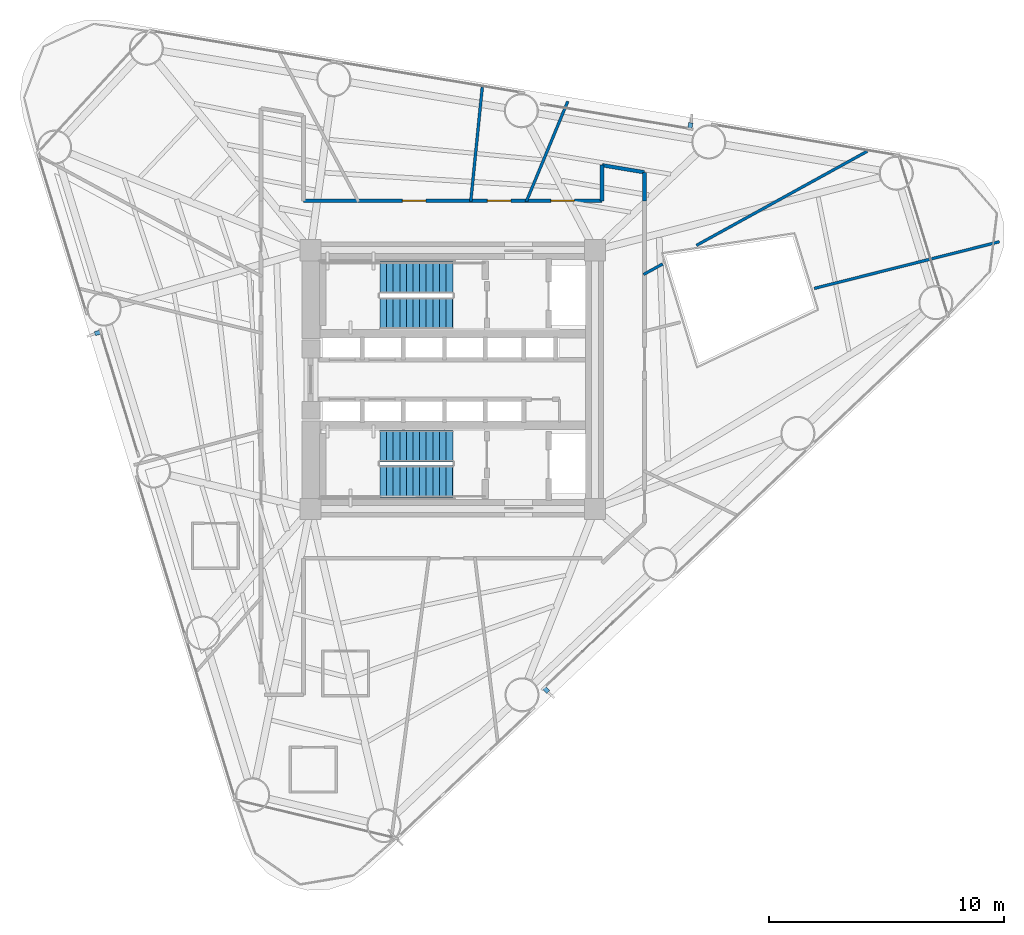
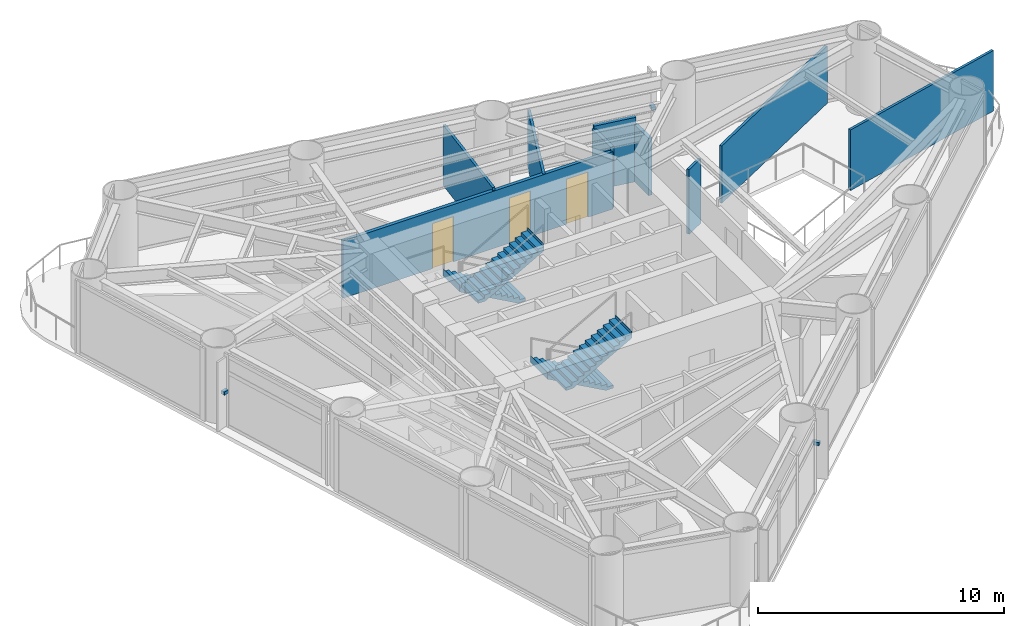
# One storey, part 7 of 10: 9 walls, 4 stair flights, 3 discrete accessories, 3 doors, 3 openings, 2 elements without a shape of their own.
"""IFC4 building model written with IfcOpenShell, lengths in metres."""

from ifc_helpers import new_model, si_unit, direction, frame, frame_2d, origin, origin_2d, place, context, subcontext, project, spatial, polyline, rectangle, outline, extrude, source, transform, mapped, material, layer, layer_set, type_object, element, fill, aggregate, save


model = new_model("IFC4")

# Units and contexts
model_context = context("Model", 3, precision=1e-05, world=origin(), true_north=direction((0.0, 1.0)))
body_context = subcontext(model_context, "Body", "Model", "MODEL_VIEW")
ifc_project = project(units=[si_unit("LENGTHUNIT", "METRE"), si_unit("AREAUNIT", "SQUARE_METRE"), si_unit("VOLUMEUNIT", "CUBIC_METRE"), si_unit("PLANEANGLEUNIT", "RADIAN"), si_unit("MASSUNIT", "GRAM", prefix="KILO")], contexts=[model_context])

# Site, building, storey
site_placement = place(None, origin())
site = spatial("IfcSite", under=ifc_project, at=site_placement, CompositionType="ELEMENT")
building_placement = place(site_placement, origin())
building = spatial("IfcBuilding", under=site, at=building_placement, Name="Yunling Apex Tower", CompositionType="ELEMENT")
storey_placement = place(building_placement, frame((0.0, 0.0, 112.39990234375)))
storey = spatial("IfcBuildingStorey", under=building, at=storey_placement, Name="L28", CompositionType="ELEMENT", Elevation=112.39990234375)

# Wall, openings, doors
ifc_material_1 = material(Name="Gypsum board acoustic partition")
ifc_layer_1 = layer(ifc_material_1, 0.159912109375)
ifc_layer_set_1 = layer_set([ifc_layer_1], Name="Gypsum board acoustic partition")
wall_type_1 = type_object("IfcWallType", Name="WL-PRT-1", PredefinedType="PARTITIONING", material=ifc_layer_set_1)
wall_1_placement = place(storey_placement, frame((-6.35009765625, 7.60009765625, 0.0), z_axis=(0.0, 0.0, 1.0), x_axis=(1.0, 0.0, 0.0)))
wall_1 = element("IfcWall", 1, at=wall_1_placement, inside=storey, type_object=wall_type_1, Name="WL-CORR-L28-07", PredefinedType="PARTITIONING", context=body_context, shape_type="SweptSolid", body=[
    extrude(rectangle(XDim=12.7001953125, YDim=0.159912109375, at=frame_2d((6.35009765625, 0.0))), origin(), (0.0, 0.0, 1.0), 2.85009765625),
])
opening_1_placement = place(wall_1_placement, frame((4.204833984375, 0.0, 0.0)))
opening_1 = element("IfcOpeningElement", 2, at=opening_1_placement, cuts=wall_1, Name="Opening DR-OFF-1", PredefinedType="OPENING", context=body_context, shape_type="SweptSolid", body=[
    extrude(rectangle(XDim=1.0, YDim=2.25, at=frame_2d((0.5, 1.125))), frame((0.0, 0.08984375, 0.0), z_axis=(0.0, -1.0, 0.0), x_axis=(1.0, 0.0, 0.0)), (0.0, 0.0, 1.0), 0.179931640625),
])
opening_2_placement = place(wall_1_placement, frame((7.8232421875, 0.0, 0.0)))
opening_2 = element("IfcOpeningElement", 3, at=opening_2_placement, cuts=wall_1, Name="Opening DR-OFF-1", PredefinedType="OPENING", context=body_context, shape_type="SweptSolid", body=[
    extrude(rectangle(XDim=1.0, YDim=2.25, at=frame_2d((0.5, 1.125))), frame((0.0, 0.08984375, 0.0), z_axis=(0.0, -1.0, 0.0), x_axis=(1.0, 0.0, 0.0)), (0.0, 0.0, 1.0), 0.179931640625),
])
opening_3_placement = place(wall_1_placement, frame((10.521728515625, 0.0, 0.0)))
opening_3 = element("IfcOpeningElement", 4, at=opening_3_placement, cuts=wall_1, Name="Opening DR-OFF-1", PredefinedType="OPENING", context=body_context, shape_type="SweptSolid", body=[
    extrude(rectangle(XDim=1.0, YDim=2.25, at=frame_2d((0.5, 1.125))), frame((0.0, 0.08984375, 0.0), z_axis=(0.0, -1.0, 0.0), x_axis=(1.0, 0.0, 0.0)), (0.0, 0.0, 1.0), 0.179931640625),
])
ifc_material_2 = material(Name="Bronze anodised aluminium", Category="aluminium")
door_type = type_object("IfcDoorType", Name="DR-OFF-1", OperationType="NOTDEFINED", PredefinedType="DOOR", material=ifc_material_2)
door_1_placement = place(opening_1_placement, origin())
door_1 = element("IfcDoor", 5, at=door_1_placement, inside=storey, type_object=door_type, Name="L28 Document Archive Store Door", OperationType="SINGLE_SWING_LEFT", OverallHeight=2.25, OverallWidth=1.0, PredefinedType="DOOR", context=body_context, shape_type="SweptSolid", body=[
    extrude(rectangle(XDim=1.0, YDim=2.25, at=frame_2d((0.5, 1.125))), frame((0.0, 0.02490234375, 0.0), z_axis=(0.0, -1.0, 0.0), x_axis=(1.0, 0.0, 0.0)), (0.0, 0.0, 1.0), 0.050048828125),
])
fill(opening_1, door_1)
door_2_placement = place(opening_2_placement, origin())
door_2 = element("IfcDoor", 6, at=door_2_placement, inside=storey, type_object=door_type, Name="L28 Client Reception Foyer Door", OperationType="SINGLE_SWING_RIGHT", OverallHeight=2.25, OverallWidth=1.0, PredefinedType="DOOR", context=body_context, shape_type="SweptSolid", body=[
    extrude(rectangle(XDim=1.0, YDim=2.25, at=frame_2d((0.5, 1.125))), frame((0.0, 0.02490234375, 0.0), z_axis=(0.0, -1.0, 0.0), x_axis=(1.0, 0.0, 0.0)), (0.0, 0.0, 1.0), 0.050048828125),
])
fill(opening_2, door_2)
door_3_placement = place(opening_3_placement, origin())
door_3 = element("IfcDoor", 7, at=door_3_placement, inside=storey, type_object=door_type, Name="L28 Staff Pantry Kitchen Door", OperationType="SINGLE_SWING_LEFT", OverallHeight=2.25, OverallWidth=1.0, PredefinedType="DOOR", context=body_context, shape_type="SweptSolid", body=[
    extrude(rectangle(XDim=1.0, YDim=2.25, at=frame_2d((0.5, 1.125))), frame((0.0, 0.02490234375, 0.0), z_axis=(0.0, -1.0, 0.0), x_axis=(1.0, 0.0, 0.0)), (0.0, 0.0, 1.0), 0.050048828125),
])
fill(opening_3, door_3)

# Walls
wall_2_placement = place(storey_placement, frame((6.35009765625, 7.60009765625, 0.0), z_axis=(0.0, 0.0, 1.0), x_axis=(0.0, 1.0, 0.0)))
element("IfcWall", 8, at=wall_2_placement, inside=storey, type_object=wall_type_1, Name="WL-CORR-L28-08", PredefinedType="PARTITIONING", context=body_context, shape_type="SweptSolid", body=[
    extrude(rectangle(XDim=1.512939453125, YDim=0.159912109375, at=frame_2d((0.75634765625, 0.0))), origin(), (0.0, 0.0, 1.0), 3.050048828125),
])
wall_3_placement = place(storey_placement, frame((6.35009765625, 9.113037109375, 0.0), z_axis=(0.0, 0.0, 1.0), x_axis=(0.986386690349, -0.164442382317, 0.0)))
element("IfcWall", 9, at=wall_3_placement, inside=storey, type_object=wall_type_1, Name="WL-CORR-L28-09", PredefinedType="PARTITIONING", context=body_context, shape_type="SweptSolid", body=[
    extrude(rectangle(XDim=1.82470703125, YDim=0.159912109375, at=frame_2d((0.912353515625, 0.0))), origin(), (0.0, 0.0, 1.0), 3.2001953125),
])
wall_4_placement = place(storey_placement, frame((8.14990234375, 8.81298828125, 0.0), z_axis=(0.0, 0.0, 1.0), x_axis=(0.0, -1.0, 0.0)))
element("IfcWall", 10, at=wall_4_placement, inside=storey, type_object=wall_type_1, Name="WL-CORR-L28-10", PredefinedType="PARTITIONING", context=body_context, shape_type="SweptSolid", body=[
    extrude(rectangle(XDim=1.212890625, YDim=0.159912109375, at=frame_2d((0.6064453125, 0.0))), origin(), (0.0, 0.0, 1.0), 2.85009765625),
])
ifc_layer_2 = layer(ifc_material_1, 0.1201171875)
ifc_layer_set_2 = layer_set([ifc_layer_2], Name="Gypsum board acoustic partition")
wall_type_2 = type_object("IfcWallType", Name="WL-PRT-3", PredefinedType="PARTITIONING", material=ifc_layer_set_2)
wall_5_placement = place(storey_placement, frame((15.368408203125, 3.87548828125, 0.0), z_axis=(0.0, 0.0, 1.0), x_axis=(0.969639714565, 0.244537980563, 0.0)))
element("IfcWall", 11, at=wall_5_placement, inside=storey, type_object=wall_type_2, Name="WL-RAD-L28-07", PredefinedType="PARTITIONING", context=body_context, shape_type="SweptSolid", body=[
    extrude(rectangle(XDim=8.11669921875, YDim=0.1201171875, at=frame_2d((4.058349609375, 0.0))), origin(), (0.0, 0.0, 1.0), 3.010009765625),
])
wall_6_placement = place(storey_placement, frame((8.110107421875, 4.467041015625, 0.0), z_axis=(0.0, 0.0, 1.0), x_axis=(0.875876836962, 0.482534730847, 0.0)))
element("IfcWall", 12, at=wall_6_placement, inside=storey, type_object=wall_type_2, Name="WL-RAD-L28-08", PredefinedType="PARTITIONING", context=body_context, shape_type="SweptSolid", body=[
    extrude(rectangle(XDim=0.927978515625, YDim=0.1201171875, at=frame_2d((0.4638671875, 0.0))), origin(), (0.0, 0.0, 1.0), 3.210205078125),
])
wall_7_placement = place(storey_placement, frame((10.36181640625, 5.707275390625, 0.0), z_axis=(0.0, 0.0, 1.0), x_axis=(0.875911137712, 0.482472464326, 0.0)))
element("IfcWall", 13, at=wall_7_placement, inside=storey, type_object=wall_type_2, Name="WL-RAD-L28-09", PredefinedType="PARTITIONING", context=body_context, shape_type="SweptSolid", body=[
    extrude(rectangle(XDim=8.292236328125, YDim=0.1201171875, at=frame_2d((4.14599609375, 0.0))), origin(), (0.0, 0.0, 1.0), 2.85009765625),
])
wall_8_placement = place(storey_placement, frame((3.12548828125, 7.56005859375, 0.0), z_axis=(0.0, 0.0, 1.0), x_axis=(0.382088862778, 0.924125587212, 0.0)))
element("IfcWall", 14, at=wall_8_placement, inside=storey, type_object=wall_type_2, Name="WL-RAD-L28-10", PredefinedType="PARTITIONING", context=body_context, shape_type="SweptSolid", body=[
    extrude(rectangle(XDim=4.620361328125, YDim=0.1201171875, at=frame_2d((2.31005859375, 0.0))), origin(), (0.0, 0.0, 1.0), 2.85009765625),
])
wall_9_placement = place(storey_placement, frame((0.763916015625, 7.56005859375, 0.0), z_axis=(0.0, 0.0, 1.0), x_axis=(0.100495218626, 0.994937541272, 0.0)))
element("IfcWall", 15, at=wall_9_placement, inside=storey, type_object=wall_type_2, Name="WL-RAD-L28-11", PredefinedType="PARTITIONING", context=body_context, shape_type="SweptSolid", body=[
    extrude(rectangle(XDim=4.900146484375, YDim=0.1201171875, at=frame_2d((2.4501953125, 0.0))), origin(), (0.0, 0.0, 1.0), 3.010009765625),
])

# Stair, stair flights
ifc_material_3 = material(Name="Concrete C40", Category="concrete")
stair_type = type_object("IfcStairType", Name="ST-TWR-1", PredefinedType="HALF_TURN_STAIR", material=ifc_material_3)
stair_1_placement = place(storey_placement, origin())
stair_1 = element("IfcStair", 16, at=stair_1_placement, inside=storey, type_object=stair_type, Name="L28 North Core Smokeproof Exit Stair ST-1", PredefinedType="HALF_TURN_STAIR")
stair_flight_type = type_object("IfcStairFlightType", Name="SFL-TWR-1", PredefinedType="STRAIGHT", material=ifc_material_3)
stair_flight_1_placement = place(storey_placement, frame((-0.010009765625, 4.330078125, 0.0), z_axis=(0.0, 0.0, 1.0), x_axis=(-1.0, 0.0, 0.0)))
stair_flight_1 = element("IfcStairFlight", 17, at=stair_flight_1_placement, type_object=stair_flight_type, Name="ST-1 flight 1", NumberOfRisers=12, NumberOfTreads=11, PredefinedType="STRAIGHT", RiserHeight=0.15625, TreadLength=0.28, context=body_context, shape_type="SweptSolid", body=[
    extrude(outline(polyline([(-0.011962890625, 0.0), (-0.011962890625, 0.15625), (0.0, 0.15625), (0.280029296875, 0.15625), (0.280029296875, 0.3125), (0.56005859375, 0.3125), (0.56005859375, 0.46875), (0.840087890625, 0.46875), (0.840087890625, 0.625), (1.1201171875, 0.625), (1.1201171875, 0.78125), (1.39990234375, 0.78125), (1.39990234375, 0.9375), (1.679931640625, 0.9375), (1.679931640625, 1.09375), (1.9599609375, 1.09375), (1.9599609375, 1.25), (2.239990234375, 1.25), (2.239990234375, 1.40625), (2.52001953125, 1.40625), (2.52001953125, 1.5625), (2.800048828125, 1.5625), (2.800048828125, 1.71875), (3.080078125, 1.71875), (3.080078125, 1.875), (3.092041015625, 1.875), (3.092041015625, 1.53564453125), (0.328125, 0.0), (-0.011962890625, 0.0)])), frame((0.0, 0.68017578125, 0.0), z_axis=(0.0, -1.0, 0.0), x_axis=(1.0, 0.0, 0.0)), (0.0, 0.0, 1.0), 1.360107421875),
])
stair_flight_2_placement = place(storey_placement, frame((-3.090087890625, 2.820068359375, 1.875), z_axis=(0.0, 0.0, 1.0), x_axis=(1.0, 0.0, 0.0)))
stair_flight_2 = element("IfcStairFlight", 18, at=stair_flight_2_placement, type_object=stair_flight_type, Name="ST-1 flight 2", NumberOfRisers=12, NumberOfTreads=11, PredefinedType="STRAIGHT", RiserHeight=0.15625, TreadLength=0.28, context=body_context, shape_type="SweptSolid", body=[
    extrude(outline(polyline([(-0.011962890625, 0.0), (-0.011962890625, 0.15625), (0.0, 0.15625), (0.280029296875, 0.15625), (0.280029296875, 0.3125), (0.56005859375, 0.3125), (0.56005859375, 0.46875), (0.840087890625, 0.46875), (0.840087890625, 0.625), (1.1201171875, 0.625), (1.1201171875, 0.78125), (1.39990234375, 0.78125), (1.39990234375, 0.9375), (1.679931640625, 0.9375), (1.679931640625, 1.09375), (1.9599609375, 1.09375), (1.9599609375, 1.25), (2.239990234375, 1.25), (2.239990234375, 1.40625), (2.52001953125, 1.40625), (2.52001953125, 1.5625), (2.800048828125, 1.5625), (2.800048828125, 1.71875), (3.080078125, 1.71875), (3.080078125, 1.875), (3.092041015625, 1.875), (3.092041015625, 1.53564453125), (0.328125, 0.0), (-0.011962890625, 0.0)])), frame((0.0, 0.68017578125, 0.0), z_axis=(0.0, -1.0, 0.0), x_axis=(1.0, 0.0, 0.0)), (0.0, 0.0, 1.0), 1.360107421875),
])
aggregate(stair_1, [stair_flight_1, stair_flight_2])

stair_2_placement = place(storey_placement, origin())
stair_2 = element("IfcStair", 19, at=stair_2_placement, inside=storey, type_object=stair_type, Name="L28 South Core Smokeproof Exit Stair ST-2", PredefinedType="HALF_TURN_STAIR")
stair_flight_3_placement = place(storey_placement, frame((-0.010009765625, -2.820068359375, 0.0), z_axis=(0.0, 0.0, 1.0), x_axis=(-1.0, 0.0, 0.0)))
stair_flight_3 = element("IfcStairFlight", 20, at=stair_flight_3_placement, type_object=stair_flight_type, Name="ST-2 flight 1", NumberOfRisers=12, NumberOfTreads=11, PredefinedType="STRAIGHT", RiserHeight=0.15625, TreadLength=0.28, context=body_context, shape_type="SweptSolid", body=[
    extrude(outline(polyline([(-0.011962890625, 0.0), (-0.011962890625, 0.15625), (0.0, 0.15625), (0.280029296875, 0.15625), (0.280029296875, 0.3125), (0.56005859375, 0.3125), (0.56005859375, 0.46875), (0.840087890625, 0.46875), (0.840087890625, 0.625), (1.1201171875, 0.625), (1.1201171875, 0.78125), (1.39990234375, 0.78125), (1.39990234375, 0.9375), (1.679931640625, 0.9375), (1.679931640625, 1.09375), (1.9599609375, 1.09375), (1.9599609375, 1.25), (2.239990234375, 1.25), (2.239990234375, 1.40625), (2.52001953125, 1.40625), (2.52001953125, 1.5625), (2.800048828125, 1.5625), (2.800048828125, 1.71875), (3.080078125, 1.71875), (3.080078125, 1.875), (3.092041015625, 1.875), (3.092041015625, 1.53564453125), (0.328125, 0.0), (-0.011962890625, 0.0)])), frame((0.0, 0.68017578125, 0.0), z_axis=(0.0, -1.0, 0.0), x_axis=(1.0, 0.0, 0.0)), (0.0, 0.0, 1.0), 1.360107421875),
])
stair_flight_4_placement = place(storey_placement, frame((-3.090087890625, -4.330078125, 1.875), z_axis=(0.0, 0.0, 1.0), x_axis=(1.0, 0.0, 0.0)))
stair_flight_4 = element("IfcStairFlight", 21, at=stair_flight_4_placement, type_object=stair_flight_type, Name="ST-2 flight 2", NumberOfRisers=12, NumberOfTreads=11, PredefinedType="STRAIGHT", RiserHeight=0.15625, TreadLength=0.28, context=body_context, shape_type="SweptSolid", body=[
    extrude(outline(polyline([(-0.011962890625, 0.0), (-0.011962890625, 0.15625), (0.0, 0.15625), (0.280029296875, 0.15625), (0.280029296875, 0.3125), (0.56005859375, 0.3125), (0.56005859375, 0.46875), (0.840087890625, 0.46875), (0.840087890625, 0.625), (1.1201171875, 0.625), (1.1201171875, 0.78125), (1.39990234375, 0.78125), (1.39990234375, 0.9375), (1.679931640625, 0.9375), (1.679931640625, 1.09375), (1.9599609375, 1.09375), (1.9599609375, 1.25), (2.239990234375, 1.25), (2.239990234375, 1.40625), (2.52001953125, 1.40625), (2.52001953125, 1.5625), (2.800048828125, 1.5625), (2.800048828125, 1.71875), (3.080078125, 1.71875), (3.080078125, 1.875), (3.092041015625, 1.875), (3.092041015625, 1.53564453125), (0.328125, 0.0), (-0.011962890625, 0.0)])), frame((0.0, 0.68017578125, 0.0), z_axis=(0.0, -1.0, 0.0), x_axis=(1.0, 0.0, 0.0)), (0.0, 0.0, 1.0), 1.360107421875),
])
aggregate(stair_2, [stair_flight_3, stair_flight_4])

# Discrete accessories
ifc_material_4 = material(Name="Steel Q355B", Category="steel")
discrete_accessory_type = type_object("IfcDiscreteAccessoryType", Name="BK-FIN-1", PredefinedType="BRACKET", material=ifc_material_4)
shared_shape = source(origin(), body_context, "Body", "SweptSolid", [
    extrude(rectangle(XDim=0.179931640625, YDim=0.260009765625, at=origin_2d()), origin(), (0.0, 0.0, 1.0), 0.159912109375),
])
for number, where, z_axis, x_axis, name in (
    (22, (3.9658203125, -13.191162109375, 1.70263671875), (0.0, 0.0, 1.0), (0.725854756355, 0.687848001144, 0.0), "CW-L28-F1-B2-BRK-01-1"),
    (23, (10.10009765625, 10.789306640625, 1.70263671875), (0.0, 0.0, 1.0), (-0.986400586142, 0.164359008451, 0.0), "CW-L28-F2-B2-BRK-01-1"),
    (24, (-15.0888671875, 1.988037109375, 1.70263671875), (0.0, 0.0, 1.0), (0.292371704723, -0.956304755963, 0.0), "CW-L28-F3-B2-BRK-01-1"),
):
    element("IfcDiscreteAccessory", number, at=place(storey_placement, frame(where, z_axis=z_axis, x_axis=x_axis)), inside=storey, type_object=discrete_accessory_type, Name=name, PredefinedType="BRACKET", context=body_context, shape_type="MappedRepresentation", body=[
        mapped(shared_shape, transform((0.0, 0.0, 0.0), scale=1.0)),
    ])

save(model, "model.ifc")
